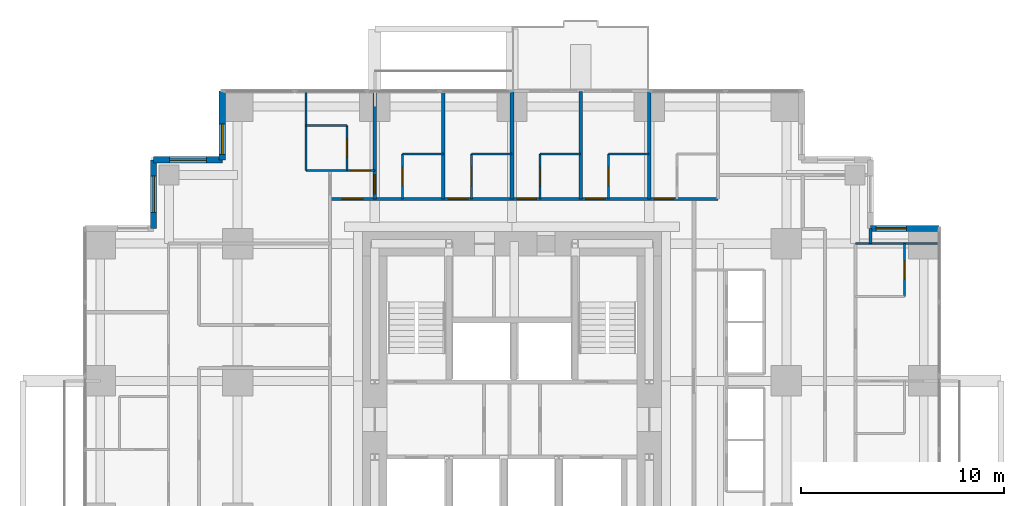
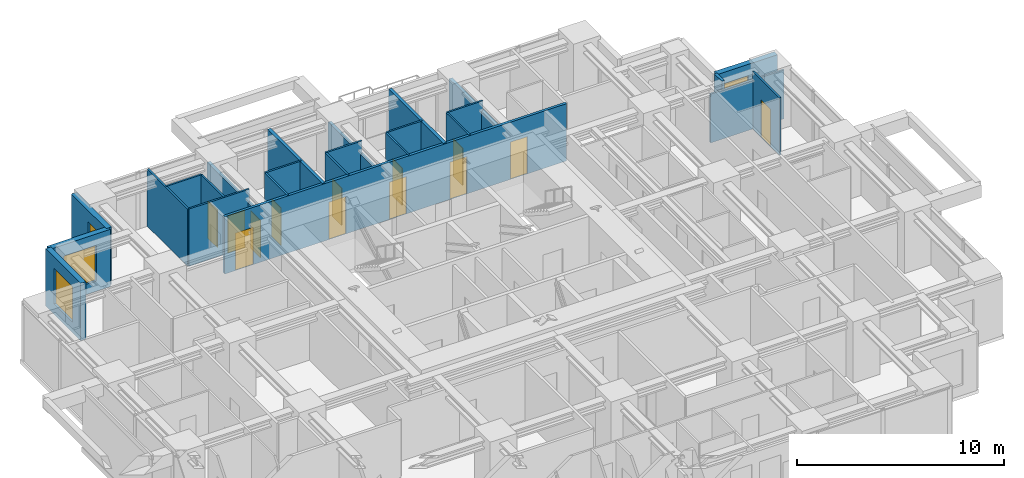
# One storey, part 10 of 12: 25 walls, 13 doors, 4 windows, 17 openings.
"""IFC4 building model written with IfcOpenShell, lengths in metres."""

from ifc_helpers import new_model, si_unit, direction, frame, frame_2d, origin, place, context, subcontext, project, spatial, rectangle, extrude, material, layer, layer_set, type_object, element, fill, save


model = new_model("IFC4")

# Units and contexts
model_context = context("Model", 3, precision=1e-05, world=origin(), true_north=direction((0.0, 1.0)))
body_context = subcontext(model_context, "Body", "Model", "MODEL_VIEW")
ifc_project = project(units=[si_unit("LENGTHUNIT", "METRE"), si_unit("AREAUNIT", "SQUARE_METRE"), si_unit("VOLUMEUNIT", "CUBIC_METRE"), si_unit("PLANEANGLEUNIT", "RADIAN"), si_unit("MASSUNIT", "GRAM", prefix="KILO")], contexts=[model_context])

# Site, building, storey
site_placement = place(None, origin())
site = spatial("IfcSite", under=ifc_project, at=site_placement, CompositionType="ELEMENT")
building_placement = place(site_placement, origin())
building = spatial("IfcBuilding", under=site, at=building_placement, Name="Nyansa Garden Tower", CompositionType="ELEMENT")
storey_placement = place(building_placement, frame((0.0, 0.0, 119.699951171875)))
storey = spatial("IfcBuildingStorey", under=building, at=storey_placement, Name="L32", CompositionType="ELEMENT", Elevation=119.699951171875)

# Wall, opening, door
ifc_material_1 = material(Name="Dense blockwork, plastered both sides, 55 dB", Category="masonry")
ifc_layer_1 = layer(ifc_material_1, 0.175048828125)
ifc_layer_set_1 = layer_set([ifc_layer_1], Name="Acoustic party wall PW175")
wall_type_1 = type_object("IfcWallType", Name="Acoustic party wall PW175", PredefinedType="PARTITIONING", material=ifc_layer_set_1)
wall_1_placement = place(storey_placement, frame((13.5, 29.199951171875, 0.0), z_axis=(0.0, 0.0, 1.0), x_axis=(0.0, 1.0, 0.0)))
wall_1 = element("IfcWall", 1, at=wall_1_placement, inside=storey, type_object=wall_type_1, Name="Party wall", PredefinedType="PARTITIONING", context=body_context, shape_type="SweptSolid", body=[
    extrude(rectangle(XDim=5.283935546875, YDim=0.175048828125, at=frame_2d((2.64208984375, 0.0))), origin(), (0.0, 0.0, 1.0), 2.610107421875),
])
opening_1_placement = place(wall_1_placement, frame((0.25, 0.0, 0.0)))
opening_1 = element("IfcOpeningElement", 2, at=opening_1_placement, cuts=wall_1, Name="Opening D14", PredefinedType="OPENING", context=body_context, shape_type="SweptSolid", body=[
    extrude(rectangle(XDim=0.949951171875, YDim=2.199951171875, at=frame_2d((0.47509765625, 1.10009765625))), frame((0.0, 0.097412109375, 0.0), z_axis=(0.0, -1.0, 0.0), x_axis=(1.0, 0.0, 0.0)), (0.0, 0.0, 1.0), 0.195068359375),
])
ifc_material_2 = material(Name="Timber flush door, 60 minute fire resisting, self-closing", Category="wood")
door_type_1 = type_object("IfcDoorType", Name="Studio entrance door D14 950x2200", OperationType="SINGLE_SWING_LEFT", PredefinedType="DOOR", material=ifc_material_2)
door_1_placement = place(opening_1_placement, origin())
door_1 = element("IfcDoor", 3, at=door_1_placement, inside=storey, type_object=door_type_1, Name="Door L32-043", OperationType="SINGLE_SWING_LEFT", OverallHeight=2.199951171875, OverallWidth=0.949951171875, PredefinedType="DOOR", context=body_context, shape_type="SweptSolid", body=[
    extrude(rectangle(XDim=0.949951171875, YDim=2.199951171875, at=frame_2d((0.47509765625, 1.10009765625))), frame((0.0, 0.02490234375, 0.0), z_axis=(0.0, -1.0, 0.0), x_axis=(1.0, 0.0, 0.0)), (0.0, 0.0, 1.0), 0.050048828125),
])
fill(opening_1, door_1)

# Walls
wall_2_placement = place(storey_placement, frame((16.875, 29.199951171875, 0.0), z_axis=(0.0, 0.0, 1.0), x_axis=(0.0, 1.0, 0.0)))
element("IfcWall", 4, at=wall_2_placement, inside=storey, type_object=wall_type_1, Name="Party wall", PredefinedType="PARTITIONING", context=body_context, shape_type="SweptSolid", body=[
    extrude(rectangle(XDim=5.283935546875, YDim=0.175048828125, at=frame_2d((2.64208984375, 0.0))), origin(), (0.0, 0.0, 1.0), 3.375),
])
wall_3_placement = place(storey_placement, frame((20.25, 29.199951171875, 0.0), z_axis=(0.0, 0.0, 1.0), x_axis=(0.0, 1.0, 0.0)))
element("IfcWall", 5, at=wall_3_placement, inside=storey, type_object=wall_type_1, Name="Party wall", PredefinedType="PARTITIONING", context=body_context, shape_type="SweptSolid", body=[
    extrude(rectangle(XDim=5.283935546875, YDim=0.175048828125, at=frame_2d((2.64208984375, 0.0))), origin(), (0.0, 0.0, 1.0), 2.610107421875),
])
wall_4_placement = place(storey_placement, frame((23.625, 29.199951171875, 0.0), z_axis=(0.0, 0.0, 1.0), x_axis=(0.0, 1.0, 0.0)))
element("IfcWall", 6, at=wall_4_placement, inside=storey, type_object=wall_type_1, Name="Party wall", PredefinedType="PARTITIONING", context=body_context, shape_type="SweptSolid", body=[
    extrude(rectangle(XDim=5.283935546875, YDim=0.175048828125, at=frame_2d((2.64208984375, 0.0))), origin(), (0.0, 0.0, 1.0), 3.375),
])
wall_5_placement = place(storey_placement, frame((27.0, 29.199951171875, 0.0), z_axis=(0.0, 0.0, 1.0), x_axis=(0.0, 1.0, 0.0)))
element("IfcWall", 7, at=wall_5_placement, inside=storey, type_object=wall_type_1, Name="Party wall", PredefinedType="PARTITIONING", context=body_context, shape_type="SweptSolid", body=[
    extrude(rectangle(XDim=5.283935546875, YDim=0.175048828125, at=frame_2d((2.64208984375, 0.0))), origin(), (0.0, 0.0, 1.0), 2.80615234375),
])

# Wall, openings, doors
ifc_material_3 = material(Name="Blockwork, plastered both sides", Category="masonry")
ifc_layer_2 = layer(ifc_material_3, 0.14990234375)
ifc_layer_set_2 = layer_set([ifc_layer_2], Name="Partition PW150")
wall_type_2 = type_object("IfcWallType", Name="Partition PW150", PredefinedType="PARTITIONING", material=ifc_layer_set_2)
wall_6_placement = place(storey_placement, frame((11.300048828125, 29.199951171875, 0.0), z_axis=(0.0, 0.0, 1.0), x_axis=(1.0, 0.0, 0.0)))
wall_6 = element("IfcWall", 8, at=wall_6_placement, inside=storey, type_object=wall_type_2, Name="Partition", PredefinedType="PARTITIONING", context=body_context, shape_type="SweptSolid", body=[
    extrude(rectangle(XDim=19.074951171875, YDim=0.14990234375, at=frame_2d((9.53759765625, 0.0))), origin(), (0.0, 0.0, 1.0), 3.375),
])
opening_2_placement = place(wall_6_placement, frame((5.824951171875, 0.0, 0.0)))
opening_2 = element("IfcOpeningElement", 9, at=opening_2_placement, cuts=wall_6, Name="Opening D14", PredefinedType="OPENING", context=body_context, shape_type="SweptSolid", body=[
    extrude(rectangle(XDim=0.949951171875, YDim=2.199951171875, at=frame_2d((0.47509765625, 1.10009765625))), frame((0.0, 0.0849609375, 0.0), z_axis=(0.0, -1.0, 0.0), x_axis=(1.0, 0.0, 0.0)), (0.0, 0.0, 1.0), 0.169921875),
])
opening_3_placement = place(wall_6_placement, frame((9.199951171875, 0.0, 0.0)))
opening_3 = element("IfcOpeningElement", 10, at=opening_3_placement, cuts=wall_6, Name="Opening D14", PredefinedType="OPENING", context=body_context, shape_type="SweptSolid", body=[
    extrude(rectangle(XDim=0.949951171875, YDim=2.199951171875, at=frame_2d((0.47509765625, 1.10009765625))), frame((0.0, 0.0849609375, 0.0), z_axis=(0.0, -1.0, 0.0), x_axis=(1.0, 0.0, 0.0)), (0.0, 0.0, 1.0), 0.169921875),
])
opening_4_placement = place(wall_6_placement, frame((12.574951171875, 0.0, 0.0)))
opening_4 = element("IfcOpeningElement", 11, at=opening_4_placement, cuts=wall_6, Name="Opening D14", PredefinedType="OPENING", context=body_context, shape_type="SweptSolid", body=[
    extrude(rectangle(XDim=0.949951171875, YDim=2.199951171875, at=frame_2d((0.47509765625, 1.10009765625))), frame((0.0, 0.0849609375, 0.0), z_axis=(0.0, -1.0, 0.0), x_axis=(1.0, 0.0, 0.0)), (0.0, 0.0, 1.0), 0.169921875),
])
opening_5_placement = place(wall_6_placement, frame((15.949951171875, 0.0, 0.0)))
opening_5 = element("IfcOpeningElement", 12, at=opening_5_placement, cuts=wall_6, Name="Opening D14", PredefinedType="OPENING", context=body_context, shape_type="SweptSolid", body=[
    extrude(rectangle(XDim=0.949951171875, YDim=2.199951171875, at=frame_2d((0.47509765625, 1.10009765625))), frame((0.0, 0.0849609375, 0.0), z_axis=(0.0, -1.0, 0.0), x_axis=(1.0, 0.0, 0.0)), (0.0, 0.0, 1.0), 0.169921875),
])
opening_6_placement = place(wall_6_placement, frame((0.60009765625, 0.0, 0.0)))
opening_6 = element("IfcOpeningElement", 13, at=opening_6_placement, cuts=wall_6, Name="Opening D03", PredefinedType="OPENING", context=body_context, shape_type="SweptSolid", body=[
    extrude(rectangle(XDim=1.0, YDim=2.199951171875, at=frame_2d((0.5, 1.10009765625))), frame((0.0, 0.0849609375, 0.0), z_axis=(0.0, -1.0, 0.0), x_axis=(1.0, 0.0, 0.0)), (0.0, 0.0, 1.0), 0.169921875),
])
ifc_material_4 = material(Name="Timber flush door, 60 minute fire resisting", Category="wood")
door_type_2 = type_object("IfcDoorType", Name="Cluster entrance door D03 1000x2200", OperationType="SINGLE_SWING_LEFT", PredefinedType="DOOR", material=ifc_material_4)
door_2_placement = place(opening_6_placement, origin())
door_2 = element("IfcDoor", 14, at=door_2_placement, inside=storey, type_object=door_type_2, Name="Door L32-053", OperationType="SINGLE_SWING_LEFT", OverallHeight=2.199951171875, OverallWidth=1.0, PredefinedType="DOOR", context=body_context, shape_type="SweptSolid", body=[
    extrude(rectangle(XDim=1.0, YDim=2.199951171875, at=frame_2d((0.5, 1.10009765625))), frame((0.0, 0.02490234375, 0.0), z_axis=(0.0, -1.0, 0.0), x_axis=(1.0, 0.0, 0.0)), (0.0, 0.0, 1.0), 0.050048828125),
])
fill(opening_6, door_2)
door_3_placement = place(opening_2_placement, origin())
door_3 = element("IfcDoor", 15, at=door_3_placement, inside=storey, type_object=door_type_1, Name="Door L32-045", OperationType="SINGLE_SWING_LEFT", OverallHeight=2.199951171875, OverallWidth=0.949951171875, PredefinedType="DOOR", context=body_context, shape_type="SweptSolid", body=[
    extrude(rectangle(XDim=0.949951171875, YDim=2.199951171875, at=frame_2d((0.47509765625, 1.10009765625))), frame((0.0, 0.02490234375, 0.0), z_axis=(0.0, -1.0, 0.0), x_axis=(1.0, 0.0, 0.0)), (0.0, 0.0, 1.0), 0.050048828125),
])
fill(opening_2, door_3)
door_4_placement = place(opening_3_placement, origin())
door_4 = element("IfcDoor", 16, at=door_4_placement, inside=storey, type_object=door_type_1, Name="Door L32-047", OperationType="SINGLE_SWING_LEFT", OverallHeight=2.199951171875, OverallWidth=0.949951171875, PredefinedType="DOOR", context=body_context, shape_type="SweptSolid", body=[
    extrude(rectangle(XDim=0.949951171875, YDim=2.199951171875, at=frame_2d((0.47509765625, 1.10009765625))), frame((0.0, 0.02490234375, 0.0), z_axis=(0.0, -1.0, 0.0), x_axis=(1.0, 0.0, 0.0)), (0.0, 0.0, 1.0), 0.050048828125),
])
fill(opening_3, door_4)
door_5_placement = place(opening_4_placement, origin())
door_5 = element("IfcDoor", 17, at=door_5_placement, inside=storey, type_object=door_type_1, Name="Door L32-049", OperationType="SINGLE_SWING_LEFT", OverallHeight=2.199951171875, OverallWidth=0.949951171875, PredefinedType="DOOR", context=body_context, shape_type="SweptSolid", body=[
    extrude(rectangle(XDim=0.949951171875, YDim=2.199951171875, at=frame_2d((0.47509765625, 1.10009765625))), frame((0.0, 0.02490234375, 0.0), z_axis=(0.0, -1.0, 0.0), x_axis=(1.0, 0.0, 0.0)), (0.0, 0.0, 1.0), 0.050048828125),
])
fill(opening_4, door_5)
door_6_placement = place(opening_5_placement, origin())
door_6 = element("IfcDoor", 18, at=door_6_placement, inside=storey, type_object=door_type_1, Name="Door L32-051", OperationType="SINGLE_SWING_LEFT", OverallHeight=2.199951171875, OverallWidth=0.949951171875, PredefinedType="DOOR", context=body_context, shape_type="SweptSolid", body=[
    extrude(rectangle(XDim=0.949951171875, YDim=2.199951171875, at=frame_2d((0.47509765625, 1.10009765625))), frame((0.0, 0.02490234375, 0.0), z_axis=(0.0, -1.0, 0.0), x_axis=(1.0, 0.0, 0.0)), (0.0, 0.0, 1.0), 0.050048828125),
])
fill(opening_5, door_6)

# Wall
wall_7_placement = place(storey_placement, frame((37.875, 27.0, 0.0), z_axis=(0.0, 0.0, 1.0), x_axis=(0.0, 1.0, 0.0)))
element("IfcWall", 19, at=wall_7_placement, inside=storey, type_object=wall_type_2, Name="Partition", PredefinedType="PARTITIONING", context=body_context, shape_type="SweptSolid", body=[
    extrude(rectangle(XDim=0.73388671875, YDim=0.14990234375, at=frame_2d((0.366943359375, 0.0))), origin(), (0.0, 0.0, 1.0), 3.375),
])

# Wall, opening, window
ifc_material_5 = material(Name="Turquoise glazed tile on concrete blockwork", Category="masonry")
ifc_layer_3 = layer(ifc_material_5, 0.300048828125)
ifc_layer_set_3 = layer_set([ifc_layer_3], Name="Tiled corner wall TW300")
wall_type_3 = type_object("IfcWallType", Name="Tiled corner wall TW300", PredefinedType="SOLIDWALL", material=ifc_layer_set_3)
wall_8_placement = place(storey_placement, frame((41.25, 27.75, 0.0), z_axis=(0.0, 0.0, 1.0), x_axis=(-1.0, 0.0, 0.0)))
wall_8 = element("IfcWall", 20, at=wall_8_placement, inside=storey, type_object=wall_type_3, Name="Tiled corner wall L32", PredefinedType="SOLIDWALL", context=body_context, shape_type="SweptSolid", body=[
    extrude(rectangle(XDim=3.375, YDim=0.300048828125, at=frame_2d((1.6875, 0.0))), origin(), (0.0, 0.0, 1.0), 3.375),
])
opening_7_placement = place(wall_8_placement, frame((1.607421875, 0.0, 0.89990234375)))
opening_7 = element("IfcOpeningElement", 21, at=opening_7_placement, cuts=wall_8, Name="Opening W1", PredefinedType="OPENING", context=body_context, shape_type="SweptSolid", body=[
    extrude(rectangle(XDim=1.5, YDim=1.800048828125, at=frame_2d((0.75, 0.89990234375))), frame((0.0, 0.159912109375, 0.0), z_axis=(0.0, -1.0, 0.0), x_axis=(1.0, 0.0, 0.0)), (0.0, 0.0, 1.0), 0.320068359375),
])
ifc_material_6 = material(Name="Black aluminium frame, dark tinted double glazing", Category="aluminium")
window_type_1 = type_object("IfcWindowType", Name="Window W1 1500x1800", PartitioningType="SINGLE_PANEL", PredefinedType="WINDOW", material=ifc_material_6)
window_1_placement = place(opening_7_placement, origin())
window_1 = element("IfcWindow", 22, at=window_1_placement, inside=storey, type_object=window_type_1, Name="Corner window L32", OverallHeight=1.800048828125, OverallWidth=1.5, PartitioningType="SINGLE_PANEL", PredefinedType="WINDOW", context=body_context, shape_type="SweptSolid", body=[
    extrude(rectangle(XDim=1.5, YDim=1.800048828125, at=frame_2d((0.75, 0.89990234375))), frame((0.0, 0.030029296875, 0.0), z_axis=(0.0, -1.0, 0.0), x_axis=(1.0, 0.0, 0.0)), (0.0, 0.0, 1.0), 0.06005859375),
])
fill(opening_7, window_1)

wall_9_placement = place(storey_placement, frame((6.0, 34.5, 0.0), z_axis=(0.0, 0.0, 1.0), x_axis=(0.0, -1.0, 0.0)))
wall_9 = element("IfcWall", 23, at=wall_9_placement, inside=storey, type_object=wall_type_3, Name="Tiled corner wall L32", PredefinedType="SOLIDWALL", context=body_context, shape_type="SweptSolid", body=[
    extrude(rectangle(XDim=3.375, YDim=0.300048828125, at=frame_2d((1.6875, 0.0))), origin(), (0.0, 0.0, 1.0), 3.375),
])
opening_8_placement = place(wall_9_placement, frame((1.607421875, 0.0, 0.89990234375)))
opening_8 = element("IfcOpeningElement", 24, at=opening_8_placement, cuts=wall_9, Name="Opening W1", PredefinedType="OPENING", context=body_context, shape_type="SweptSolid", body=[
    extrude(rectangle(XDim=1.5, YDim=1.800048828125, at=frame_2d((0.75, 0.89990234375))), frame((0.0, 0.159912109375, 0.0), z_axis=(0.0, -1.0, 0.0), x_axis=(1.0, 0.0, 0.0)), (0.0, 0.0, 1.0), 0.320068359375),
])
window_2_placement = place(opening_8_placement, origin())
window_2 = element("IfcWindow", 25, at=window_2_placement, inside=storey, type_object=window_type_1, Name="Corner window L32", OverallHeight=1.800048828125, OverallWidth=1.5, PartitioningType="SINGLE_PANEL", PredefinedType="WINDOW", context=body_context, shape_type="SweptSolid", body=[
    extrude(rectangle(XDim=1.5, YDim=1.800048828125, at=frame_2d((0.75, 0.89990234375))), frame((0.0, 0.030029296875, 0.0), z_axis=(0.0, -1.0, 0.0), x_axis=(1.0, 0.0, 0.0)), (0.0, 0.0, 1.0), 0.06005859375),
])
fill(opening_8, window_2)

wall_10_placement = place(storey_placement, frame((6.0, 31.125, 0.0), z_axis=(0.0, 0.0, 1.0), x_axis=(-1.0, 0.0, 0.0)))
wall_10 = element("IfcWall", 26, at=wall_10_placement, inside=storey, type_object=wall_type_3, Name="Tiled corner wall L32", PredefinedType="SOLIDWALL", context=body_context, shape_type="SweptSolid", body=[
    extrude(rectangle(XDim=3.375, YDim=0.300048828125, at=frame_2d((1.6875, 0.0))), origin(), (0.0, 0.0, 1.0), 3.375),
])
opening_9_placement = place(wall_10_placement, frame((0.78759765625, 0.0, 0.60009765625)))
opening_9 = element("IfcOpeningElement", 27, at=opening_9_placement, cuts=wall_10, Name="Opening W2", PredefinedType="OPENING", context=body_context, shape_type="SweptSolid", body=[
    extrude(rectangle(XDim=1.800048828125, YDim=2.10009765625, at=frame_2d((0.89990234375, 1.050048828125))), frame((0.0, 0.159912109375, 0.0), z_axis=(0.0, -1.0, 0.0), x_axis=(1.0, 0.0, 0.0)), (0.0, 0.0, 1.0), 0.320068359375),
])
ifc_material_7 = material(Name="Black aluminium frame, dark tinted double glazing", Category="aluminium")
window_type_2 = type_object("IfcWindowType", Name="Window W2 1800x2100", PartitioningType="SINGLE_PANEL", PredefinedType="WINDOW", material=ifc_material_7)
window_3_placement = place(opening_9_placement, origin())
window_3 = element("IfcWindow", 28, at=window_3_placement, inside=storey, type_object=window_type_2, Name="Corner window L32", OverallHeight=2.10009765625, OverallWidth=1.800048828125, PartitioningType="SINGLE_PANEL", PredefinedType="WINDOW", context=body_context, shape_type="SweptSolid", body=[
    extrude(rectangle(XDim=1.800048828125, YDim=2.10009765625, at=frame_2d((0.89990234375, 1.050048828125))), frame((0.0, 0.030029296875, 0.0), z_axis=(0.0, -1.0, 0.0), x_axis=(1.0, 0.0, 0.0)), (0.0, 0.0, 1.0), 0.06005859375),
])
fill(opening_9, window_3)

wall_11_placement = place(storey_placement, frame((2.625, 31.125, 0.0), z_axis=(0.0, 0.0, 1.0), x_axis=(0.0, -1.0, 0.0)))
wall_11 = element("IfcWall", 29, at=wall_11_placement, inside=storey, type_object=wall_type_3, Name="Tiled corner wall L32", PredefinedType="SOLIDWALL", context=body_context, shape_type="SweptSolid", body=[
    extrude(rectangle(XDim=3.375, YDim=0.300048828125, at=frame_2d((1.6875, 0.0))), origin(), (0.0, 0.0, 1.0), 3.375),
])
opening_10_placement = place(wall_11_placement, frame((0.78759765625, 0.0, 0.60009765625)))
opening_10 = element("IfcOpeningElement", 30, at=opening_10_placement, cuts=wall_11, Name="Opening W2", PredefinedType="OPENING", context=body_context, shape_type="SweptSolid", body=[
    extrude(rectangle(XDim=1.800048828125, YDim=2.10009765625, at=frame_2d((0.89990234375, 1.050048828125))), frame((0.0, 0.159912109375, 0.0), z_axis=(0.0, -1.0, 0.0), x_axis=(1.0, 0.0, 0.0)), (0.0, 0.0, 1.0), 0.320068359375),
])
window_4_placement = place(opening_10_placement, origin())
window_4 = element("IfcWindow", 31, at=window_4_placement, inside=storey, type_object=window_type_2, Name="Corner window L32", OverallHeight=2.10009765625, OverallWidth=1.800048828125, PartitioningType="SINGLE_PANEL", PredefinedType="WINDOW", context=body_context, shape_type="SweptSolid", body=[
    extrude(rectangle(XDim=1.800048828125, YDim=2.10009765625, at=frame_2d((0.89990234375, 1.050048828125))), frame((0.0, 0.030029296875, 0.0), z_axis=(0.0, -1.0, 0.0), x_axis=(1.0, 0.0, 0.0)), (0.0, 0.0, 1.0), 0.06005859375),
])
fill(opening_10, window_4)

# Wall
ifc_material_8 = material(Name="Moisture resistant board on steel studs, tiled", Category="steel")
ifc_layer_4 = layer(ifc_material_8, 0.10009765625)
ifc_layer_set_4 = layer_set([ifc_layer_4], Name="Wet wall PW100")
wall_type_4 = type_object("IfcWallType", Name="Wet wall PW100", PredefinedType="PARTITIONING", material=ifc_layer_set_4)
wall_12_placement = place(storey_placement, frame((10.125, 30.60009765625, 0.0), z_axis=(0.0, 0.0, 1.0), x_axis=(0.0, 1.0, 0.0)))
element("IfcWall", 32, at=wall_12_placement, inside=storey, type_object=wall_type_4, Name="Wet wall", PredefinedType="PARTITIONING", context=body_context, shape_type="SweptSolid", body=[
    extrude(rectangle(XDim=3.8837890625, YDim=0.10009765625, at=frame_2d((1.94189453125, 0.0))), origin(), (0.0, 0.0, 1.0), 3.375),
])

# Wall, opening, door
wall_13_placement = place(storey_placement, frame((10.125, 30.60009765625, 0.0), z_axis=(0.0, 0.0, 1.0), x_axis=(1.0, 0.0, 0.0)))
wall_13 = element("IfcWall", 33, at=wall_13_placement, inside=storey, type_object=wall_type_4, Name="Wet wall", PredefinedType="PARTITIONING", context=body_context, shape_type="SweptSolid", body=[
    extrude(rectangle(XDim=3.375, YDim=0.10009765625, at=frame_2d((1.6875, 0.0))), origin(), (0.0, 0.0, 1.0), 3.375),
])
opening_11_placement = place(wall_13_placement, frame((2.199951171875, 0.0, 0.0)))
opening_11 = element("IfcOpeningElement", 34, at=opening_11_placement, cuts=wall_13, Name="Opening D14", PredefinedType="OPENING", context=body_context, shape_type="SweptSolid", body=[
    extrude(rectangle(XDim=0.949951171875, YDim=2.199951171875, at=frame_2d((0.47509765625, 1.10009765625))), frame((0.0, 0.06005859375, 0.0), z_axis=(0.0, -1.0, 0.0), x_axis=(1.0, 0.0, 0.0)), (0.0, 0.0, 1.0), 0.1201171875),
])
door_7_placement = place(opening_11_placement, origin())
door_7 = element("IfcDoor", 35, at=door_7_placement, inside=storey, type_object=door_type_1, Name="Door L32-041", OperationType="SINGLE_SWING_LEFT", OverallHeight=2.199951171875, OverallWidth=0.949951171875, PredefinedType="DOOR", context=body_context, shape_type="SweptSolid", body=[
    extrude(rectangle(XDim=0.949951171875, YDim=2.199951171875, at=frame_2d((0.47509765625, 1.10009765625))), frame((0.0, 0.02490234375, 0.0), z_axis=(0.0, -1.0, 0.0), x_axis=(1.0, 0.0, 0.0)), (0.0, 0.0, 1.0), 0.050048828125),
])
fill(opening_11, door_7)

# Wall
wall_14_placement = place(storey_placement, frame((10.125, 32.800048828125, 0.0), z_axis=(0.0, 0.0, 1.0), x_axis=(1.0, 0.0, 0.0)))
element("IfcWall", 36, at=wall_14_placement, inside=storey, type_object=wall_type_4, Name="Wet wall", PredefinedType="PARTITIONING", context=body_context, shape_type="SweptSolid", body=[
    extrude(rectangle(XDim=2.0, YDim=0.10009765625, at=frame_2d((1.0, 0.0))), origin(), (0.0, 0.0, 1.0), 3.375),
])

# Wall, opening, door
wall_15_placement = place(storey_placement, frame((12.125, 30.60009765625, 0.0), z_axis=(0.0, 0.0, 1.0), x_axis=(0.0, 1.0, 0.0)))
wall_15 = element("IfcWall", 37, at=wall_15_placement, inside=storey, type_object=wall_type_4, Name="Wet wall", PredefinedType="PARTITIONING", context=body_context, shape_type="SweptSolid", body=[
    extrude(rectangle(XDim=2.199951171875, YDim=0.10009765625, at=frame_2d((1.10009765625, 0.0))), origin(), (0.0, 0.0, 1.0), 3.375),
])
opening_12_placement = place(wall_15_placement, frame((0.64990234375, 0.0, 0.0)))
opening_12 = element("IfcOpeningElement", 38, at=opening_12_placement, cuts=wall_15, Name="Opening D02", PredefinedType="OPENING", context=body_context, shape_type="SweptSolid", body=[
    extrude(rectangle(XDim=0.89990234375, YDim=2.199951171875, at=frame_2d((0.449951171875, 1.10009765625))), frame((0.0, 0.06005859375, 0.0), z_axis=(0.0, -1.0, 0.0), x_axis=(1.0, 0.0, 0.0)), (0.0, 0.0, 1.0), 0.1201171875),
])
ifc_material_9 = material(Name="Timber flush door", Category="wood")
door_type_3 = type_object("IfcDoorType", Name="En-suite door D02 900x2200", OperationType="SINGLE_SWING_RIGHT", PredefinedType="DOOR", material=ifc_material_9)
door_8_placement = place(opening_12_placement, origin())
door_8 = element("IfcDoor", 39, at=door_8_placement, inside=storey, type_object=door_type_3, Name="Door L32-042", OperationType="SINGLE_SWING_RIGHT", OverallHeight=2.199951171875, OverallWidth=0.89990234375, PredefinedType="DOOR", context=body_context, shape_type="SweptSolid", body=[
    extrude(rectangle(XDim=0.89990234375, YDim=2.199951171875, at=frame_2d((0.449951171875, 1.10009765625))), frame((0.0, 0.02490234375, 0.0), z_axis=(0.0, -1.0, 0.0), x_axis=(1.0, 0.0, 0.0)), (0.0, 0.0, 1.0), 0.050048828125),
])
fill(opening_12, door_8)

wall_16_placement = place(storey_placement, frame((14.875, 29.199951171875, 0.0), z_axis=(0.0, 0.0, 1.0), x_axis=(0.0, 1.0, 0.0)))
wall_16 = element("IfcWall", 40, at=wall_16_placement, inside=storey, type_object=wall_type_4, Name="Wet wall", PredefinedType="PARTITIONING", context=body_context, shape_type="SweptSolid", body=[
    extrude(rectangle(XDim=2.199951171875, YDim=0.10009765625, at=frame_2d((1.10009765625, 0.0))), origin(), (0.0, 0.0, 1.0), 3.375),
])
opening_13_placement = place(wall_16_placement, frame((0.64990234375, 0.0, 0.0)))
opening_13 = element("IfcOpeningElement", 41, at=opening_13_placement, cuts=wall_16, Name="Opening D02", PredefinedType="OPENING", context=body_context, shape_type="SweptSolid", body=[
    extrude(rectangle(XDim=0.89990234375, YDim=2.199951171875, at=frame_2d((0.449951171875, 1.10009765625))), frame((0.0, 0.06005859375, 0.0), z_axis=(0.0, -1.0, 0.0), x_axis=(1.0, 0.0, 0.0)), (0.0, 0.0, 1.0), 0.1201171875),
])
door_9_placement = place(opening_13_placement, origin())
door_9 = element("IfcDoor", 42, at=door_9_placement, inside=storey, type_object=door_type_3, Name="Door L32-044", OperationType="SINGLE_SWING_RIGHT", OverallHeight=2.199951171875, OverallWidth=0.89990234375, PredefinedType="DOOR", context=body_context, shape_type="SweptSolid", body=[
    extrude(rectangle(XDim=0.89990234375, YDim=2.199951171875, at=frame_2d((0.449951171875, 1.10009765625))), frame((0.0, 0.02490234375, 0.0), z_axis=(0.0, -1.0, 0.0), x_axis=(1.0, 0.0, 0.0)), (0.0, 0.0, 1.0), 0.050048828125),
])
fill(opening_13, door_9)

# Wall
wall_17_placement = place(storey_placement, frame((14.875, 31.39990234375, 0.0), z_axis=(0.0, 0.0, 1.0), x_axis=(1.0, 0.0, 0.0)))
element("IfcWall", 43, at=wall_17_placement, inside=storey, type_object=wall_type_4, Name="Wet wall", PredefinedType="PARTITIONING", context=body_context, shape_type="SweptSolid", body=[
    extrude(rectangle(XDim=2.0, YDim=0.10009765625, at=frame_2d((1.0, 0.0))), origin(), (0.0, 0.0, 1.0), 3.375),
])

# Wall, opening, door
wall_18_placement = place(storey_placement, frame((18.25, 29.199951171875, 0.0), z_axis=(0.0, 0.0, 1.0), x_axis=(0.0, 1.0, 0.0)))
wall_18 = element("IfcWall", 44, at=wall_18_placement, inside=storey, type_object=wall_type_4, Name="Wet wall", PredefinedType="PARTITIONING", context=body_context, shape_type="SweptSolid", body=[
    extrude(rectangle(XDim=2.199951171875, YDim=0.10009765625, at=frame_2d((1.10009765625, 0.0))), origin(), (0.0, 0.0, 1.0), 3.375),
])
opening_14_placement = place(wall_18_placement, frame((0.64990234375, 0.0, 0.0)))
opening_14 = element("IfcOpeningElement", 45, at=opening_14_placement, cuts=wall_18, Name="Opening D02", PredefinedType="OPENING", context=body_context, shape_type="SweptSolid", body=[
    extrude(rectangle(XDim=0.89990234375, YDim=2.199951171875, at=frame_2d((0.449951171875, 1.10009765625))), frame((0.0, 0.06005859375, 0.0), z_axis=(0.0, -1.0, 0.0), x_axis=(1.0, 0.0, 0.0)), (0.0, 0.0, 1.0), 0.1201171875),
])
door_10_placement = place(opening_14_placement, origin())
door_10 = element("IfcDoor", 46, at=door_10_placement, inside=storey, type_object=door_type_3, Name="Door L32-046", OperationType="SINGLE_SWING_RIGHT", OverallHeight=2.199951171875, OverallWidth=0.89990234375, PredefinedType="DOOR", context=body_context, shape_type="SweptSolid", body=[
    extrude(rectangle(XDim=0.89990234375, YDim=2.199951171875, at=frame_2d((0.449951171875, 1.10009765625))), frame((0.0, 0.02490234375, 0.0), z_axis=(0.0, -1.0, 0.0), x_axis=(1.0, 0.0, 0.0)), (0.0, 0.0, 1.0), 0.050048828125),
])
fill(opening_14, door_10)

# Wall
wall_19_placement = place(storey_placement, frame((18.25, 31.39990234375, 0.0), z_axis=(0.0, 0.0, 1.0), x_axis=(1.0, 0.0, 0.0)))
element("IfcWall", 47, at=wall_19_placement, inside=storey, type_object=wall_type_4, Name="Wet wall", PredefinedType="PARTITIONING", context=body_context, shape_type="SweptSolid", body=[
    extrude(rectangle(XDim=2.0, YDim=0.10009765625, at=frame_2d((1.0, 0.0))), origin(), (0.0, 0.0, 1.0), 3.375),
])

# Wall, opening, door
wall_20_placement = place(storey_placement, frame((21.625, 29.199951171875, 0.0), z_axis=(0.0, 0.0, 1.0), x_axis=(0.0, 1.0, 0.0)))
wall_20 = element("IfcWall", 48, at=wall_20_placement, inside=storey, type_object=wall_type_4, Name="Wet wall", PredefinedType="PARTITIONING", context=body_context, shape_type="SweptSolid", body=[
    extrude(rectangle(XDim=2.199951171875, YDim=0.10009765625, at=frame_2d((1.10009765625, 0.0))), origin(), (0.0, 0.0, 1.0), 3.375),
])
opening_15_placement = place(wall_20_placement, frame((0.64990234375, 0.0, 0.0)))
opening_15 = element("IfcOpeningElement", 49, at=opening_15_placement, cuts=wall_20, Name="Opening D02", PredefinedType="OPENING", context=body_context, shape_type="SweptSolid", body=[
    extrude(rectangle(XDim=0.89990234375, YDim=2.199951171875, at=frame_2d((0.449951171875, 1.10009765625))), frame((0.0, 0.06005859375, 0.0), z_axis=(0.0, -1.0, 0.0), x_axis=(1.0, 0.0, 0.0)), (0.0, 0.0, 1.0), 0.1201171875),
])
door_11_placement = place(opening_15_placement, origin())
door_11 = element("IfcDoor", 50, at=door_11_placement, inside=storey, type_object=door_type_3, Name="Door L32-048", OperationType="SINGLE_SWING_RIGHT", OverallHeight=2.199951171875, OverallWidth=0.89990234375, PredefinedType="DOOR", context=body_context, shape_type="SweptSolid", body=[
    extrude(rectangle(XDim=0.89990234375, YDim=2.199951171875, at=frame_2d((0.449951171875, 1.10009765625))), frame((0.0, 0.02490234375, 0.0), z_axis=(0.0, -1.0, 0.0), x_axis=(1.0, 0.0, 0.0)), (0.0, 0.0, 1.0), 0.050048828125),
])
fill(opening_15, door_11)

# Wall
wall_21_placement = place(storey_placement, frame((21.625, 31.39990234375, 0.0), z_axis=(0.0, 0.0, 1.0), x_axis=(1.0, 0.0, 0.0)))
element("IfcWall", 51, at=wall_21_placement, inside=storey, type_object=wall_type_4, Name="Wet wall", PredefinedType="PARTITIONING", context=body_context, shape_type="SweptSolid", body=[
    extrude(rectangle(XDim=2.0, YDim=0.10009765625, at=frame_2d((1.0, 0.0))), origin(), (0.0, 0.0, 1.0), 3.375),
])

# Wall, opening, door
wall_22_placement = place(storey_placement, frame((25.0, 29.199951171875, 0.0), z_axis=(0.0, 0.0, 1.0), x_axis=(0.0, 1.0, 0.0)))
wall_22 = element("IfcWall", 52, at=wall_22_placement, inside=storey, type_object=wall_type_4, Name="Wet wall", PredefinedType="PARTITIONING", context=body_context, shape_type="SweptSolid", body=[
    extrude(rectangle(XDim=2.199951171875, YDim=0.10009765625, at=frame_2d((1.10009765625, 0.0))), origin(), (0.0, 0.0, 1.0), 3.375),
])
opening_16_placement = place(wall_22_placement, frame((0.64990234375, 0.0, 0.0)))
opening_16 = element("IfcOpeningElement", 53, at=opening_16_placement, cuts=wall_22, Name="Opening D02", PredefinedType="OPENING", context=body_context, shape_type="SweptSolid", body=[
    extrude(rectangle(XDim=0.89990234375, YDim=2.199951171875, at=frame_2d((0.449951171875, 1.10009765625))), frame((0.0, 0.06005859375, 0.0), z_axis=(0.0, -1.0, 0.0), x_axis=(1.0, 0.0, 0.0)), (0.0, 0.0, 1.0), 0.1201171875),
])
door_12_placement = place(opening_16_placement, origin())
door_12 = element("IfcDoor", 54, at=door_12_placement, inside=storey, type_object=door_type_3, Name="Door L32-050", OperationType="SINGLE_SWING_RIGHT", OverallHeight=2.199951171875, OverallWidth=0.89990234375, PredefinedType="DOOR", context=body_context, shape_type="SweptSolid", body=[
    extrude(rectangle(XDim=0.89990234375, YDim=2.199951171875, at=frame_2d((0.449951171875, 1.10009765625))), frame((0.0, 0.02490234375, 0.0), z_axis=(0.0, -1.0, 0.0), x_axis=(1.0, 0.0, 0.0)), (0.0, 0.0, 1.0), 0.050048828125),
])
fill(opening_16, door_12)

# Walls
wall_23_placement = place(storey_placement, frame((25.0, 31.39990234375, 0.0), z_axis=(0.0, 0.0, 1.0), x_axis=(1.0, 0.0, 0.0)))
element("IfcWall", 55, at=wall_23_placement, inside=storey, type_object=wall_type_4, Name="Wet wall", PredefinedType="PARTITIONING", context=body_context, shape_type="SweptSolid", body=[
    extrude(rectangle(XDim=2.0, YDim=0.10009765625, at=frame_2d((1.0, 0.0))), origin(), (0.0, 0.0, 1.0), 3.375),
])
wall_24_placement = place(storey_placement, frame((37.14990234375, 27.0, 0.0), z_axis=(0.0, 0.0, 1.0), x_axis=(1.0, 0.0, 0.0)))
element("IfcWall", 56, at=wall_24_placement, inside=storey, type_object=wall_type_4, Name="Wet wall", PredefinedType="PARTITIONING", context=body_context, shape_type="SweptSolid", body=[
    extrude(rectangle(XDim=4.083984375, YDim=0.10009765625, at=frame_2d((2.0419921875, 0.0))), origin(), (0.0, 0.0, 1.0), 2.876953125),
])

# Wall, opening, door
wall_25_placement = place(storey_placement, frame((39.550048828125, 24.39990234375, 0.0), z_axis=(0.0, 0.0, 1.0), x_axis=(0.0, 1.0, 0.0)))
wall_25 = element("IfcWall", 57, at=wall_25_placement, inside=storey, type_object=wall_type_4, Name="Wet wall", PredefinedType="PARTITIONING", context=body_context, shape_type="SweptSolid", body=[
    extrude(rectangle(XDim=2.60009765625, YDim=0.10009765625, at=frame_2d((1.300048828125, 0.0))), origin(), (0.0, 0.0, 1.0), 3.375),
])
opening_17_placement = place(wall_25_placement, frame((0.85009765625, 0.0, 0.0)))
opening_17 = element("IfcOpeningElement", 58, at=opening_17_placement, cuts=wall_25, Name="Opening D02", PredefinedType="OPENING", context=body_context, shape_type="SweptSolid", body=[
    extrude(rectangle(XDim=0.89990234375, YDim=2.199951171875, at=frame_2d((0.449951171875, 1.10009765625))), frame((0.0, 0.06005859375, 0.0), z_axis=(0.0, -1.0, 0.0), x_axis=(1.0, 0.0, 0.0)), (0.0, 0.0, 1.0), 0.1201171875),
])
door_13_placement = place(opening_17_placement, origin())
door_13 = element("IfcDoor", 59, at=door_13_placement, inside=storey, type_object=door_type_3, Name="Door L32-034", OperationType="SINGLE_SWING_RIGHT", OverallHeight=2.199951171875, OverallWidth=0.89990234375, PredefinedType="DOOR", context=body_context, shape_type="SweptSolid", body=[
    extrude(rectangle(XDim=0.89990234375, YDim=2.199951171875, at=frame_2d((0.449951171875, 1.10009765625))), frame((0.0, 0.02490234375, 0.0), z_axis=(0.0, -1.0, 0.0), x_axis=(1.0, 0.0, 0.0)), (0.0, 0.0, 1.0), 0.050048828125),
])
fill(opening_17, door_13)

save(model, "model.ifc")
